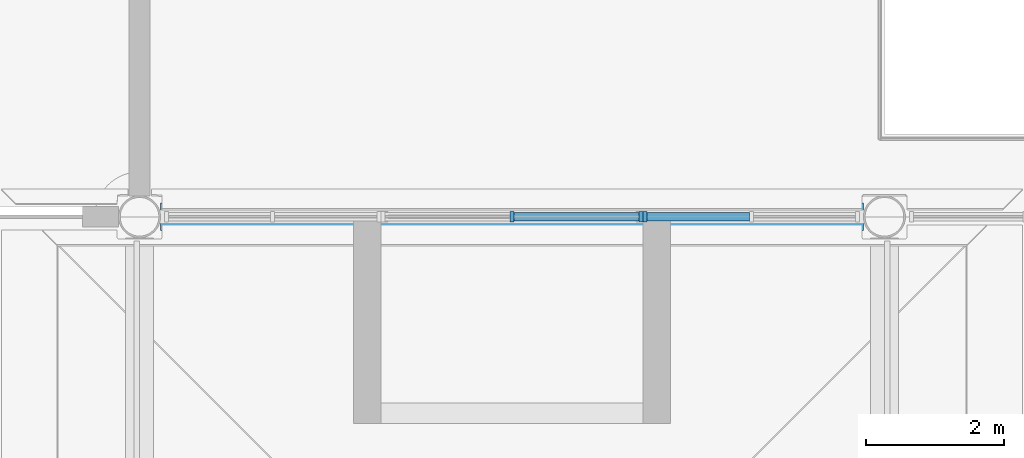
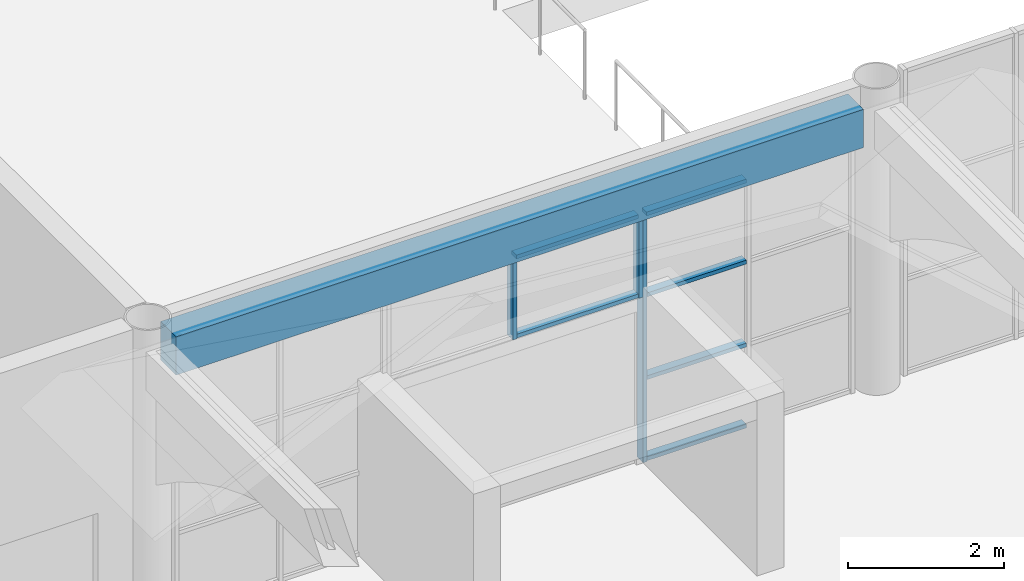
# One storey, part 17 of 91: 9 members, 1 beam, 2 elements without a shape of their own.
"""IFC4 building model written with IfcOpenShell, lengths in metres."""

from ifc_helpers import new_model, si_unit, direction, frame, origin, origin_2d, place, context, subcontext, project, spatial, rectangle, extrude, material, layer, layer_set, material_profile, profile_set, type_object, element, aggregate, save


model = new_model("IFC4")

# Units and contexts
model_context = context("Model", 3, precision=1e-05, world=origin(), true_north=direction((0.0, 1.0)))
body_context = subcontext(model_context, "Body", "Model", "MODEL_VIEW")
ifc_project = project(units=[si_unit("LENGTHUNIT", "METRE"), si_unit("AREAUNIT", "SQUARE_METRE"), si_unit("VOLUMEUNIT", "CUBIC_METRE"), si_unit("PLANEANGLEUNIT", "RADIAN"), si_unit("MASSUNIT", "GRAM", prefix="KILO")], contexts=[model_context])

# Site, building, storey
site_placement = place(None, origin())
site = spatial("IfcSite", under=ifc_project, at=site_placement, CompositionType="ELEMENT")
building_placement = place(site_placement, origin())
building = spatial("IfcBuilding", under=site, at=building_placement, Name="Magnolia Steps Interchange", CompositionType="ELEMENT")
storey_placement = place(building_placement, origin())
storey = spatial("IfcBuildingStorey", under=building, at=storey_placement, Name="L00", CompositionType="ELEMENT", Elevation=0.0)

# Curtain wall, members
ifc_material_1 = material(Name="Powder-coated aluminium and glass", Category="aluminium")
ifc_layer = layer(ifc_material_1, 0.14990234375)
ifc_layer_set = layer_set([ifc_layer], Name="Glazed hall curtain wall")
curtain_wall_type = type_object("IfcCurtainWallType", Name="Glazed hall curtain wall", PredefinedType="NOTDEFINED", material=ifc_layer_set)
curtain_wall_1_placement = place(storey_placement, origin())
curtain_wall_1 = element("IfcCurtainWall", 1, at=curtain_wall_1_placement, inside=storey, type_object=curtain_wall_type, Name="Hall entrance fanlight S2", PredefinedType="NOTDEFINED")
ifc_material_2 = material(Name="White powder-coated aluminium", Category="aluminium")
ifc_material_profile_1 = material_profile(ifc_material_2, rectangle(XDim=0.06005859375, YDim=0.14990234375, at=origin_2d()), Name="Aluminium mullion 60 x 150")
ifc_profile_set_1 = profile_set([ifc_material_profile_1], Name="White powder-coated aluminium")
member_type_1 = type_object("IfcMemberType", Name="Aluminium mullion 60 x 150", PredefinedType="MULLION", material=ifc_profile_set_1)
member_1_placement = place(storey_placement, frame((69.39990234375, 42.39990234375, 2.60009765625), z_axis=(0.0, 0.0, 1.0), x_axis=(1.0, 0.0, 0.0)))
member_1 = element("IfcMember", 2, at=member_1_placement, type_object=member_type_1, Name="CW1 mullion 2", PredefinedType="MULLION", context=body_context, shape_type="SweptSolid", body=[
    extrude(rectangle(XDim=0.06005859375, YDim=0.14990234375, at=origin_2d()), origin(), (0.0, 0.0, 1.0), 1.2998046875),
])
member_2_placement = place(storey_placement, frame((71.27001953125, 42.39990234375, 2.60009765625), z_axis=(0.0, 0.0, 1.0), x_axis=(1.0, 0.0, 0.0)))
member_2 = element("IfcMember", 3, at=member_2_placement, type_object=member_type_1, Name="CW1 mullion 3", PredefinedType="MULLION", context=body_context, shape_type="SweptSolid", body=[
    extrude(rectangle(XDim=0.06005859375, YDim=0.14990234375, at=origin_2d()), origin(), (0.0, 0.0, 1.0), 1.2998046875),
])

# Curtain wall, member
curtain_wall_2_placement = place(storey_placement, origin())
curtain_wall_2 = element("IfcCurtainWall", 4, at=curtain_wall_2_placement, inside=storey, type_object=curtain_wall_type, Name="Hall glazing S2z L00", PredefinedType="NOTDEFINED")
member_3_placement = place(storey_placement, frame((71.330078125, 42.39990234375, 0.0), z_axis=(0.0, 0.0, 1.0), x_axis=(1.0, 0.0, 0.0)))
member_3 = element("IfcMember", 5, at=member_3_placement, type_object=member_type_1, Name="CW1 mullion 1", PredefinedType="MULLION", context=body_context, shape_type="SweptSolid", body=[
    extrude(rectangle(XDim=0.06005859375, YDim=0.14990234375, at=origin_2d()), origin(), (0.0, 0.0, 1.0), 3.89990234375),
])

# Member
ifc_material_3 = material(Name="White powder-coated aluminium", Category="aluminium")
ifc_material_profile_2 = material_profile(ifc_material_3, rectangle(XDim=0.06005859375, YDim=0.1201171875, at=origin_2d()), Name="Aluminium transom 60 x 120")
ifc_profile_set_2 = profile_set([ifc_material_profile_2], Name="White powder-coated aluminium")
member_type_2 = type_object("IfcMemberType", Name="Aluminium transom 60 x 120", PredefinedType="USERDEFINED", material=ifc_profile_set_2)
member_4_placement = place(storey_placement, frame((69.429931640625, 42.39990234375, 2.6298828125), z_axis=(1.0, 0.0, 0.0), x_axis=(0.0, 0.0, 1.0)))
member_4 = element("IfcMember", 6, at=member_4_placement, type_object=member_type_2, Name="CW1 transom 2.1", ObjectType="TRANSOM", PredefinedType="USERDEFINED", context=body_context, shape_type="SweptSolid", body=[
    extrude(rectangle(XDim=0.06005859375, YDim=0.1201171875, at=origin_2d()), origin(), (0.0, 0.0, 1.0), 1.81005859375),
])

member_5_placement = place(storey_placement, frame((69.429931640625, 42.39990234375, 3.8701171875), z_axis=(1.0, 0.0, 0.0), x_axis=(0.0, 0.0, 1.0)))
member_5 = element("IfcMember", 7, at=member_5_placement, type_object=member_type_2, Name="CW1 transom 2.2", ObjectType="TRANSOM", PredefinedType="USERDEFINED", context=body_context, shape_type="SweptSolid", body=[
    extrude(rectangle(XDim=0.06005859375, YDim=0.1201171875, at=origin_2d()), origin(), (0.0, 0.0, 1.0), 1.81005859375),
])

aggregate(curtain_wall_1, [member_1, member_2, member_4, member_5])

member_6_placement = place(storey_placement, frame((71.360107421875, 42.39990234375, 0.030029296875), z_axis=(1.0, 0.0, 0.0), x_axis=(0.0, 0.0, 1.0)))
member_6 = element("IfcMember", 8, at=member_6_placement, type_object=member_type_2, Name="CW1 transom 1.1", ObjectType="TRANSOM", PredefinedType="USERDEFINED", context=body_context, shape_type="SweptSolid", body=[
    extrude(rectangle(XDim=0.06005859375, YDim=0.1201171875, at=origin_2d()), origin(), (0.0, 0.0, 1.0), 1.47998046875),
])

member_7_placement = place(storey_placement, frame((71.360107421875, 42.39990234375, 1.300048828125), z_axis=(1.0, 0.0, 0.0), x_axis=(0.0, 0.0, 1.0)))
member_7 = element("IfcMember", 9, at=member_7_placement, type_object=member_type_2, Name="CW1 transom 1.2", ObjectType="TRANSOM", PredefinedType="USERDEFINED", context=body_context, shape_type="SweptSolid", body=[
    extrude(rectangle(XDim=0.06005859375, YDim=0.1201171875, at=origin_2d()), origin(), (0.0, 0.0, 1.0), 1.47998046875),
])

member_8_placement = place(storey_placement, frame((71.360107421875, 42.39990234375, 2.60009765625), z_axis=(1.0, 0.0, 0.0), x_axis=(0.0, 0.0, 1.0)))
member_8 = element("IfcMember", 10, at=member_8_placement, type_object=member_type_2, Name="CW1 transom 1.3", ObjectType="TRANSOM", PredefinedType="USERDEFINED", context=body_context, shape_type="SweptSolid", body=[
    extrude(rectangle(XDim=0.06005859375, YDim=0.1201171875, at=origin_2d()), origin(), (0.0, 0.0, 1.0), 1.47998046875),
])

member_9_placement = place(storey_placement, frame((71.360107421875, 42.39990234375, 3.8701171875), z_axis=(1.0, 0.0, 0.0), x_axis=(0.0, 0.0, 1.0)))
member_9 = element("IfcMember", 11, at=member_9_placement, type_object=member_type_2, Name="CW1 transom 1.4", ObjectType="TRANSOM", PredefinedType="USERDEFINED", context=body_context, shape_type="SweptSolid", body=[
    extrude(rectangle(XDim=0.06005859375, YDim=0.1201171875, at=origin_2d()), origin(), (0.0, 0.0, 1.0), 1.47998046875),
])

aggregate(curtain_wall_2, [member_3, member_6, member_7, member_8, member_9])

# Beam
ifc_material_4 = material(Name="Concrete C40", Category="concrete")
ifc_material_profile_3 = material_profile(ifc_material_4, rectangle(XDim=0.39990234375, YDim=0.60009765625, at=origin_2d()), Name="RC400x600")
ifc_profile_set_3 = profile_set([ifc_material_profile_3], Name="Concrete C40")
beam_type = type_object("IfcBeamType", Name="RC beam 400x600", PredefinedType="BEAM", material=ifc_profile_set_3)
beam_placement = place(storey_placement, frame((74.4951171875, 42.39990234375, 4.199951171875), z_axis=(-1.0, 0.0, 0.0), x_axis=(0.0, -1.0, 0.0)))
element("IfcBeam", 12, at=beam_placement, inside=storey, type_object=beam_type, Name="Portico eave beam S2", PredefinedType="BEAM", context=body_context, shape_type="SweptSolid", body=[
    extrude(rectangle(XDim=0.39990234375, YDim=0.60009765625, at=origin_2d()), origin(), (0.0, 0.0, 1.0), 10.190185546875),
])

save(model, "model.ifc")
